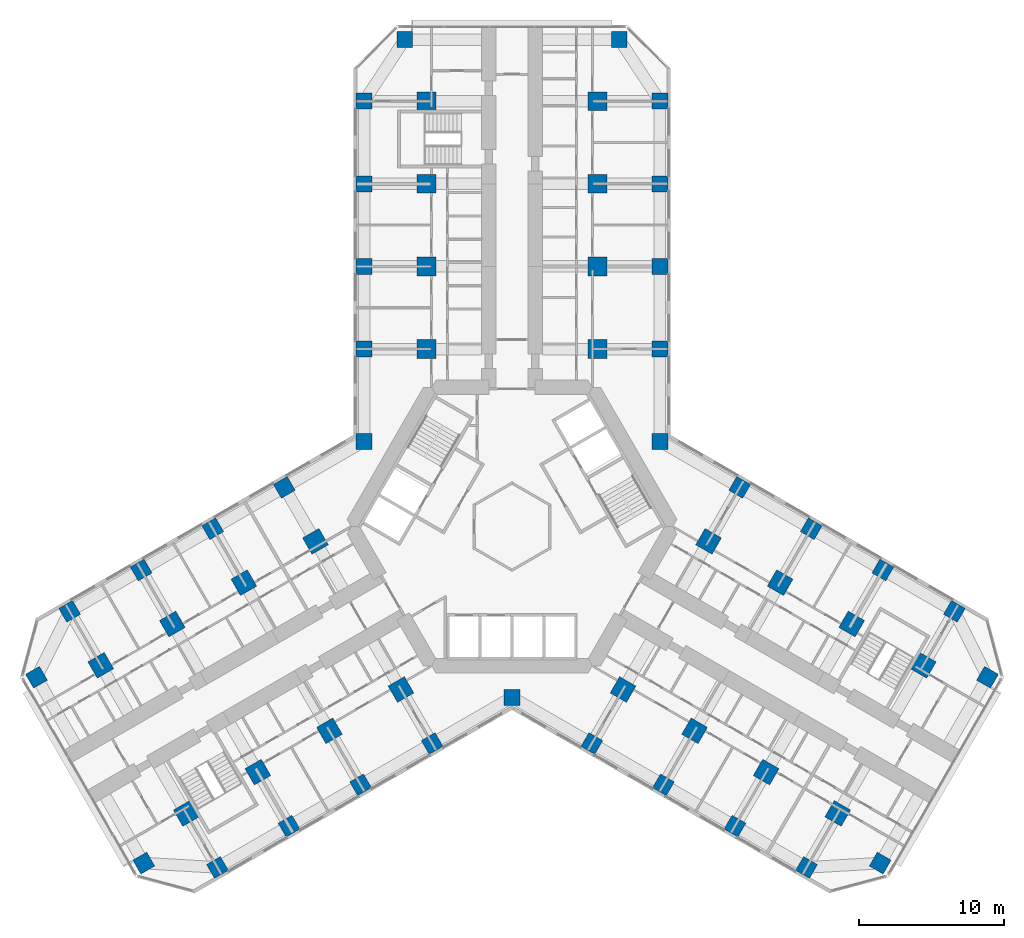
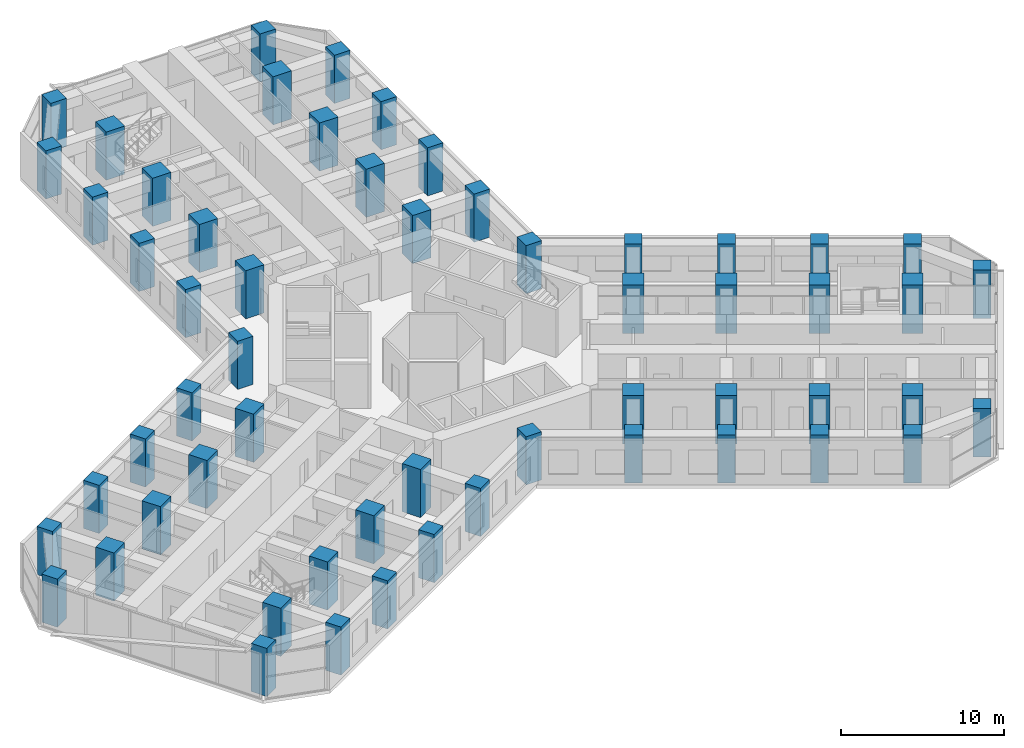
# One storey, part 1 of 21: 57 columns.
"""IFC4 building model written with IfcOpenShell, lengths in metres."""

from ifc_helpers import new_model, si_unit, direction, frame, origin, origin_2d, place, context, subcontext, project, spatial, rectangle, extrude, material, material_profile, profile_set, type_object, element, save


model = new_model("IFC4")

# Units and contexts
model_context = context("Model", 3, precision=1e-05, world=origin(), true_north=direction((0.0, 1.0)))
body_context = subcontext(model_context, "Body", "Model", "MODEL_VIEW")
ifc_project = project(units=[si_unit("LENGTHUNIT", "METRE"), si_unit("AREAUNIT", "SQUARE_METRE"), si_unit("VOLUMEUNIT", "CUBIC_METRE"), si_unit("PLANEANGLEUNIT", "RADIAN"), si_unit("MASSUNIT", "GRAM", prefix="KILO")], contexts=[model_context])

# Site, building, storey
site_placement = place(None, origin())
site = spatial("IfcSite", under=ifc_project, at=site_placement, CompositionType="ELEMENT")
building_placement = place(site_placement, origin())
building = spatial("IfcBuilding", under=site, at=building_placement, Name="Kosmar Iwan School Tower", CompositionType="ELEMENT")
storey_placement = place(building_placement, frame((0.0, 0.0, 39.39990234375)))
storey = spatial("IfcBuildingStorey", under=building, at=storey_placement, Name="L08", CompositionType="ELEMENT", Elevation=39.39990234375)

# Columns
ifc_material_1 = material(Name="Concrete C50/60", Category="concrete")
ifc_material_profile_1 = material_profile(ifc_material_1, rectangle(XDim=1.10009765625, YDim=1.10009765625, at=origin_2d()), Name="RC 1100x1100 + HD 400x677")
ifc_profile_set_1 = profile_set([ifc_material_profile_1], Name="Concrete C50/60")
column_type_1 = type_object("IfcColumnType", Name="Composite column 1100x1100 HD 400x677", PredefinedType="COLUMN", material=ifc_profile_set_1)
for number, where, z_axis, x_axis, name in (
    (1, (-10.199951171875, 12.25, 0.0), (0.0, 0.0, 1.0), (0.0, 1.0, 0.0), "Column AL1 L08"),
    (2, (-10.199951171875, 17.949951171875, 0.0), (0.0, 0.0, 1.0), (0.0, 1.0, 0.0), "Column AL2 L08"),
    (3, (-10.199951171875, 23.64990234375, 0.0), (0.0, 0.0, 1.0), (0.0, 1.0, 0.0), "Column AL3 L08"),
    (4, (-10.199951171875, 29.35009765625, 0.0), (0.0, 0.0, 1.0), (0.0, 1.0, 0.0), "Column AL4 L08"),
    (5, (-7.39990234375, 33.60009765625, 0.0), (0.0, 0.0, 1.0), (0.0, 1.0, 0.0), "Column ALTIP L08"),
    (6, (10.199951171875, 12.25, 0.0), (0.0, 0.0, 1.0), (0.0, 1.0, 0.0), "Column AR1 L08"),
    (7, (10.199951171875, 17.949951171875, 0.0), (0.0, 0.0, 1.0), (0.0, 1.0, 0.0), "Column AR2 L08"),
    (8, (10.199951171875, 23.64990234375, 0.0), (0.0, 0.0, 1.0), (0.0, 1.0, 0.0), "Column AR3 L08"),
    (9, (10.199951171875, 29.35009765625, 0.0), (0.0, 0.0, 1.0), (0.0, 1.0, 0.0), "Column AR4 L08"),
    (10, (7.39990234375, 33.60009765625, 0.0), (0.0, 0.0, 1.0), (0.0, 1.0, 0.0), "Column ARTIP L08"),
    (11, (-5.5087890625, -14.95849609375, 0.0), (0.0, 0.0, 1.0), (-0.866025403784, -0.5, 0.0), "Column BL1 L08"),
    (12, (-10.445068359375, -17.808349609375, 0.0), (0.0, 0.0, 1.0), (-0.866025403784, -0.5, 0.0), "Column BL2 L08"),
    (13, (-15.381591796875, -20.658447265625, 0.0), (0.0, 0.0, 1.0), (-0.866025403784, -0.5, 0.0), "Column BL3 L08"),
    (14, (-20.31787109375, -23.508544921875, 0.0), (0.0, 0.0, 1.0), (-0.866025403784, -0.5, 0.0), "Column BL4 L08"),
    (15, (-25.3984375, -23.20849609375, 0.0), (0.0, 0.0, 1.0), (-0.866025403784, -0.5, 0.0), "Column BLTIP L08"),
    (16, (-15.708740234375, 2.70849609375, 0.0), (0.0, 0.0, 1.0), (-0.866025403784, -0.5, 0.0), "Column BR1 L08"),
    (17, (-20.645263671875, -0.1416015625, 0.0), (0.0, 0.0, 1.0), (-0.866025403784, -0.5, 0.0), "Column BR2 L08"),
    (18, (-25.58154296875, -2.991455078125, 0.0), (0.0, 0.0, 1.0), (-0.866025403784, -0.5, 0.0), "Column BR3 L08"),
    (19, (-30.517822265625, -5.841552734375, 0.0), (0.0, 0.0, 1.0), (-0.866025403784, -0.5, 0.0), "Column BR4 L08"),
    (20, (-32.79833984375, -10.391357421875, 0.0), (0.0, 0.0, 1.0), (-0.866025403784, -0.5, 0.0), "Column BRTIP L08"),
    (21, (15.708740234375, 2.70849609375, 0.0), (0.0, 0.0, 1.0), (0.866025403784, -0.5, 0.0), "Column CL1 L08"),
    (22, (20.645263671875, -0.1416015625, 0.0), (0.0, 0.0, 1.0), (0.866025403784, -0.5, 0.0), "Column CL2 L08"),
    (23, (25.58154296875, -2.991455078125, 0.0), (0.0, 0.0, 1.0), (0.866025403784, -0.5, 0.0), "Column CL3 L08"),
    (24, (30.517822265625, -5.841552734375, 0.0), (0.0, 0.0, 1.0), (0.866025403784, -0.5, 0.0), "Column CL4 L08"),
    (25, (32.79833984375, -10.391357421875, 0.0), (0.0, 0.0, 1.0), (0.866025403784, -0.5, 0.0), "Column CLTIP L08"),
    (26, (5.5087890625, -14.95849609375, 0.0), (0.0, 0.0, 1.0), (0.866025403784, -0.5, 0.0), "Column CR1 L08"),
    (27, (10.445068359375, -17.808349609375, 0.0), (0.0, 0.0, 1.0), (0.866025403784, -0.5, 0.0), "Column CR2 L08"),
    (28, (15.381591796875, -20.658447265625, 0.0), (0.0, 0.0, 1.0), (0.866025403784, -0.5, 0.0), "Column CR3 L08"),
    (29, (20.31787109375, -23.508544921875, 0.0), (0.0, 0.0, 1.0), (0.866025403784, -0.5, 0.0), "Column CR4 L08"),
    (30, (25.3984375, -23.20849609375, 0.0), (0.0, 0.0, 1.0), (0.866025403784, -0.5, 0.0), "Column CRTIP L08"),
    (31, (-10.199951171875, 5.888916015625, 0.0), (0.0, 0.0, 1.0), (1.0, 0.0, 0.0), "Column RAB L08"),
    (32, (10.199951171875, 5.888916015625, 0.0), (0.0, 0.0, 1.0), (1.0, 0.0, 0.0), "Column RAC L08"),
    (33, (0.0, -11.77783203125, 0.0), (0.0, 0.0, 1.0), (1.0, 0.0, 0.0), "Column RBC L08"),
):
    element("IfcColumn", number, at=place(storey_placement, frame(where, z_axis=z_axis, x_axis=x_axis)), inside=storey, type_object=column_type_1, Name=name, PredefinedType="COLUMN", context=body_context, shape_type="SweptSolid", body=[
        extrude(rectangle(XDim=1.10009765625, YDim=1.10009765625, at=origin_2d()), origin(), (0.0, 0.0, 1.0), 3.60009765625),
    ])
ifc_material_2 = material(Name="Concrete C50/60", Category="concrete")
ifc_material_profile_2 = material_profile(ifc_material_2, rectangle(XDim=1.300048828125, YDim=1.300048828125, at=origin_2d()), Name="RC 1300x1300")
ifc_profile_set_2 = profile_set([ifc_material_profile_2], Name="Concrete C50/60")
column_type_2 = type_object("IfcColumnType", Name="RC interior column 1300x1300", PredefinedType="COLUMN", material=ifc_profile_set_2)
for number, where, z_axis, x_axis, name in (
    (34, (-5.89990234375, 12.25, 0.0), (0.0, 0.0, 1.0), (0.0, 1.0, 0.0), "Interior column ALI1 L08"),
    (35, (-5.89990234375, 17.949951171875, 0.0), (0.0, 0.0, 1.0), (0.0, 1.0, 0.0), "Interior column ALI2 L08"),
    (36, (-5.89990234375, 23.64990234375, 0.0), (0.0, 0.0, 1.0), (0.0, 1.0, 0.0), "Interior column ALI3 L08"),
    (37, (-5.89990234375, 29.35009765625, 0.0), (0.0, 0.0, 1.0), (0.0, 1.0, 0.0), "Interior column ALI4 L08"),
    (38, (5.89990234375, 12.25, 0.0), (0.0, 0.0, 1.0), (0.0, 1.0, 0.0), "Interior column ARI1 L08"),
    (39, (5.89990234375, 17.949951171875, 0.0), (0.0, 0.0, 1.0), (0.0, 1.0, 0.0), "Interior column ARI2 L08"),
    (40, (5.89990234375, 23.64990234375, 0.0), (0.0, 0.0, 1.0), (0.0, 1.0, 0.0), "Interior column ARI3 L08"),
    (41, (5.89990234375, 29.35009765625, 0.0), (0.0, 0.0, 1.0), (0.0, 1.0, 0.0), "Interior column ARI4 L08"),
    (42, (-7.65869140625, -11.234619140625, 0.0), (0.0, 0.0, 1.0), (-0.866025403784, -0.5, 0.0), "Interior column BLI1 L08"),
    (43, (-12.59521484375, -14.08447265625, 0.0), (0.0, 0.0, 1.0), (-0.866025403784, -0.5, 0.0), "Interior column BLI2 L08"),
    (44, (-17.531494140625, -16.9345703125, 0.0), (0.0, 0.0, 1.0), (-0.866025403784, -0.5, 0.0), "Interior column BLI3 L08"),
    (45, (-22.4677734375, -19.78466796875, 0.0), (0.0, 0.0, 1.0), (-0.866025403784, -0.5, 0.0), "Interior column BLI4 L08"),
    (46, (-13.558837890625, -1.015380859375, 0.0), (0.0, 0.0, 1.0), (-0.866025403784, -0.5, 0.0), "Interior column BRI1 L08"),
    (47, (-18.4951171875, -3.865478515625, 0.0), (0.0, 0.0, 1.0), (-0.866025403784, -0.5, 0.0), "Interior column BRI2 L08"),
    (48, (-23.431396484375, -6.71533203125, 0.0), (0.0, 0.0, 1.0), (-0.866025403784, -0.5, 0.0), "Interior column BRI3 L08"),
    (49, (-28.367919921875, -9.5654296875, 0.0), (0.0, 0.0, 1.0), (-0.866025403784, -0.5, 0.0), "Interior column BRI4 L08"),
    (50, (13.558837890625, -1.015380859375, 0.0), (0.0, 0.0, 1.0), (0.866025403784, -0.5, 0.0), "Interior column CLI1 L08"),
    (51, (18.4951171875, -3.865478515625, 0.0), (0.0, 0.0, 1.0), (0.866025403784, -0.5, 0.0), "Interior column CLI2 L08"),
    (52, (23.431396484375, -6.71533203125, 0.0), (0.0, 0.0, 1.0), (0.866025403784, -0.5, 0.0), "Interior column CLI3 L08"),
    (53, (28.367919921875, -9.5654296875, 0.0), (0.0, 0.0, 1.0), (0.866025403784, -0.5, 0.0), "Interior column CLI4 L08"),
    (54, (7.65869140625, -11.234619140625, 0.0), (0.0, 0.0, 1.0), (0.866025403784, -0.5, 0.0), "Interior column CRI1 L08"),
    (55, (12.59521484375, -14.08447265625, 0.0), (0.0, 0.0, 1.0), (0.866025403784, -0.5, 0.0), "Interior column CRI2 L08"),
    (56, (17.531494140625, -16.9345703125, 0.0), (0.0, 0.0, 1.0), (0.866025403784, -0.5, 0.0), "Interior column CRI3 L08"),
    (57, (22.4677734375, -19.78466796875, 0.0), (0.0, 0.0, 1.0), (0.866025403784, -0.5, 0.0), "Interior column CRI4 L08"),
):
    element("IfcColumn", number, at=place(storey_placement, frame(where, z_axis=z_axis, x_axis=x_axis)), inside=storey, type_object=column_type_2, Name=name, PredefinedType="COLUMN", context=body_context, shape_type="SweptSolid", body=[
        extrude(rectangle(XDim=1.300048828125, YDim=1.300048828125, at=origin_2d()), origin(), (0.0, 0.0, 1.0), 3.60009765625),
    ])

save(model, "model.ifc")
